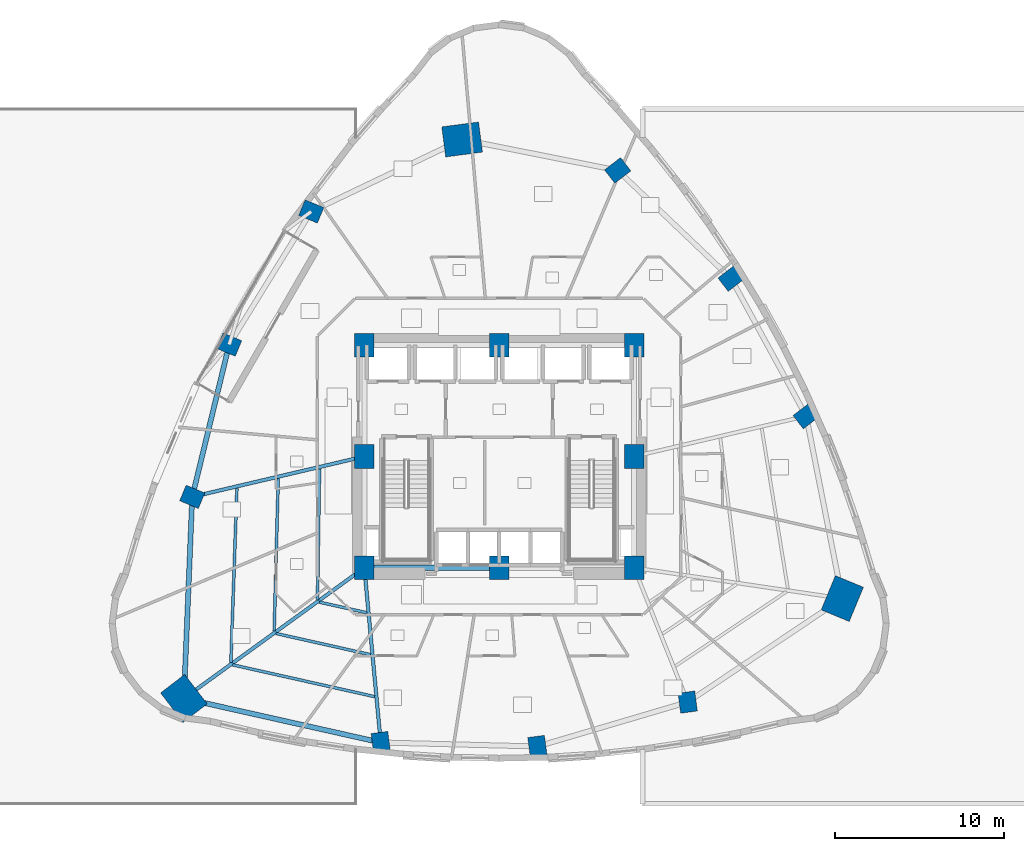
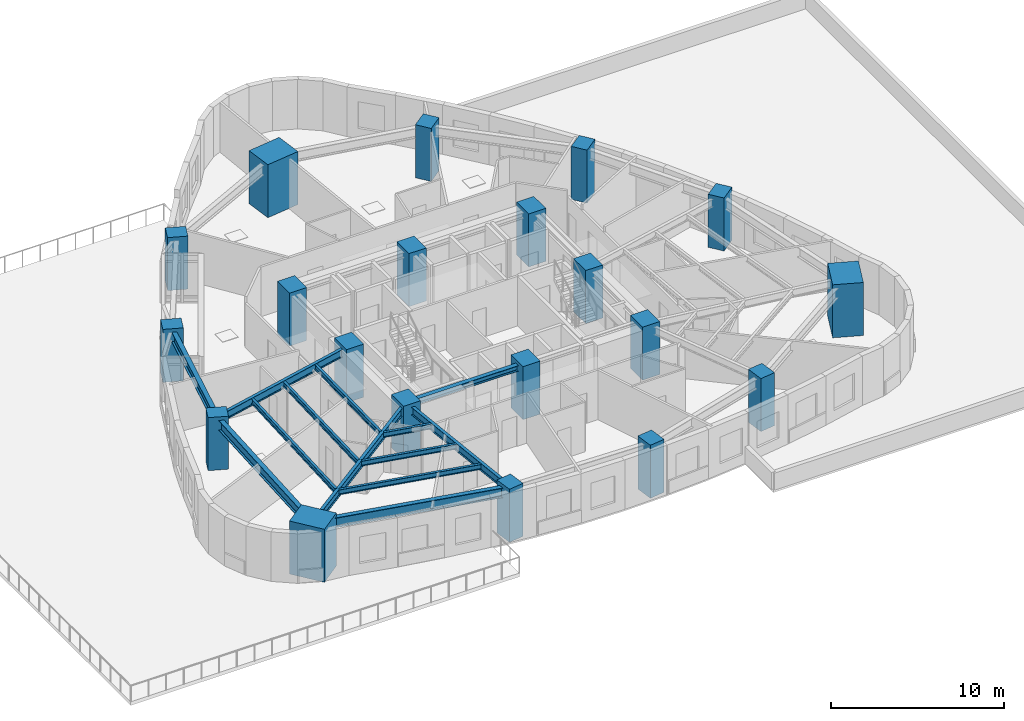
# One storey, part 1 of 15: 20 columns, 13 beams.
"""IFC4 building model written with IfcOpenShell, lengths in metres."""

from ifc_helpers import new_model, si_unit, direction, frame, origin, origin_2d, place, context, subcontext, project, spatial, rectangle, i_section, extrude, material, material_profile, profile_set, type_object, element, save


model = new_model("IFC4")

# Units and contexts
model_context = context("Model", 3, precision=1e-05, world=origin(), true_north=direction((0.0, 1.0)))
body_context = subcontext(model_context, "Body", "Model", "MODEL_VIEW")
ifc_project = project(units=[si_unit("LENGTHUNIT", "METRE"), si_unit("AREAUNIT", "SQUARE_METRE"), si_unit("VOLUMEUNIT", "CUBIC_METRE"), si_unit("PLANEANGLEUNIT", "RADIAN"), si_unit("MASSUNIT", "GRAM", prefix="KILO")], contexts=[model_context])

# Site, building, storey
site_placement = place(None, origin())
site = spatial("IfcSite", under=ifc_project, at=site_placement, CompositionType="ELEMENT")
building_placement = place(site_placement, origin())
building = spatial("IfcBuilding", under=site, at=building_placement, Name="Ndelora Gate Hotel", CompositionType="ELEMENT")
storey_placement = place(building_placement, frame((0.0, 0.0, 30.5)))
storey = spatial("IfcBuildingStorey", under=building, at=storey_placement, Name="L06", CompositionType="ELEMENT", Elevation=30.5)

# Columns
ifc_material_1 = material(Name="Concrete C60/75", Category="concrete")
ifc_material_profile_1 = material_profile(ifc_material_1, rectangle(XDim=1.14990234375, YDim=1.39990234375, at=origin_2d()), Name="RC 1400x1150")
ifc_profile_set_1 = profile_set([ifc_material_profile_1], Name="Concrete C60/75")
column_type_1 = type_object("IfcColumnType", Name="COL-CC-LOW", PredefinedType="COLUMN", material=ifc_profile_set_1)
for number, where, z_axis, x_axis, name in (
    (1, (-8.0, -6.60009765625, 0.0), (0.0, 0.0, 1.0), (1.0, 0.0, 0.0), "L06 Core Column CC1"),
    (2, (0.0, -6.60009765625, 0.0), (0.0, 0.0, 1.0), (1.0, 0.0, 0.0), "L06 Core Column CC2"),
    (3, (8.0, -6.60009765625, 0.0), (0.0, 0.0, 1.0), (1.0, 0.0, 0.0), "L06 Core Column CC3"),
    (4, (8.0, 0.0, 0.0), (0.0, 0.0, 1.0), (1.0, 0.0, 0.0), "L06 Core Column CC4"),
    (5, (8.0, 6.60009765625, 0.0), (0.0, 0.0, 1.0), (1.0, 0.0, 0.0), "L06 Core Column CC5"),
    (6, (0.0, 6.60009765625, 0.0), (0.0, 0.0, 1.0), (1.0, 0.0, 0.0), "L06 Core Column CC6"),
    (7, (-8.0, 6.60009765625, 0.0), (0.0, 0.0, 1.0), (1.0, 0.0, 0.0), "L06 Core Column CC7"),
    (8, (-8.0, 0.0, 0.0), (0.0, 0.0, 1.0), (1.0, 0.0, 0.0), "L06 Core Column CC8"),
):
    element("IfcColumn", number, at=place(storey_placement, frame(where, z_axis=z_axis, x_axis=x_axis)), inside=storey, type_object=column_type_1, Name=name, PredefinedType="COLUMN", context=body_context, shape_type="SweptSolid", body=[
        extrude(rectangle(XDim=1.14990234375, YDim=1.39990234375, at=origin_2d()), origin(), (0.0, 0.0, 1.0), 3.75),
    ])
ifc_material_profile_2 = material_profile(ifc_material_1, rectangle(XDim=1.800048828125, YDim=2.199951171875, at=origin_2d()), Name="RC 2200x1800")
ifc_profile_set_2 = profile_set([ifc_material_profile_2], Name="Concrete C60/75")
column_type_2 = type_object("IfcColumnType", Name="COL-MC-Z1", PredefinedType="COLUMN", material=ifc_profile_set_2)
for number, where, z_axis, x_axis, name in (
    (9, (-2.199951171875, 18.800048828125, 0.0), (0.0, 0.0, 1.0), (-0.13052619222, 0.991444861374, 0.0), "L06 Corner Mega-Column R1"),
    (10, (-18.701904296875, -14.3505859375, 0.0), (0.0, 0.0, 1.0), (0.793353340291, 0.608761429009, 0.0), "L06 Corner Mega-Column R5"),
    (11, (20.35009765625, -8.42919921875, 0.0), (0.0, 0.0, 1.0), (-0.923879532511, 0.382683432365, 0.0), "L06 Corner Mega-Column R9"),
):
    element("IfcColumn", number, at=place(storey_placement, frame(where, z_axis=z_axis, x_axis=x_axis)), inside=storey, type_object=column_type_2, Name=name, PredefinedType="COLUMN", context=body_context, shape_type="SweptSolid", body=[
        extrude(rectangle(XDim=1.800048828125, YDim=2.199951171875, at=origin_2d()), origin(), (0.0, 0.0, 1.0), 3.75),
    ])
ifc_material_profile_3 = material_profile(ifc_material_1, rectangle(XDim=1.0, YDim=1.199951171875, at=origin_2d()), Name="RC 1200x1000")
ifc_profile_set_3 = profile_set([ifc_material_profile_3], Name="Concrete C60/75")
column_type_3 = type_object("IfcColumnType", Name="COL-PT-Z1", PredefinedType="COLUMN", material=ifc_profile_set_3)
for number, where, z_axis, x_axis, name in (
    (12, (-11.1484375, 14.529052734375, 0.0), (0.0, 0.0, 1.0), (0.382683432365, 0.923879532511, 0.0), "L06 Perimeter Tube Column R2"),
    (13, (-16.016845703125, 6.634521484375, 0.0), (0.0, 0.0, 1.0), (0.382683432365, 0.923879532511, 0.0), "L06 Perimeter Tube Column R3"),
    (14, (-18.207275390625, -2.39697265625, 0.0), (0.0, 0.0, 1.0), (0.382683432365, 0.923879532511, 0.0), "L06 Perimeter Tube Column R4"),
    (15, (-7.027587890625, -16.96630859375, 0.0), (0.0, 0.0, 1.0), (0.991444861374, 0.13052619222, 0.0), "L06 Perimeter Tube Column R6"),
    (16, (2.2646484375, -17.20166015625, 0.0), (0.0, 0.0, 1.0), (0.991444861374, 0.13052619222, 0.0), "L06 Perimeter Tube Column R7"),
    (17, (11.179443359375, -14.5693359375, 0.0), (0.0, 0.0, 1.0), (0.991444861374, 0.13052619222, 0.0), "L06 Perimeter Tube Column R8"),
    (18, (18.207275390625, 2.39697265625, 0.0), (0.0, 0.0, 1.0), (-0.608761429009, 0.793353340291, 0.0), "L06 Perimeter Tube Column R10"),
    (19, (13.75390625, 10.5537109375, 0.0), (0.0, 0.0, 1.0), (-0.608761429009, 0.793353340291, 0.0), "L06 Perimeter Tube Column R11"),
    (20, (7.027587890625, 16.96630859375, 0.0), (0.0, 0.0, 1.0), (-0.608761429009, 0.793353340291, 0.0), "L06 Perimeter Tube Column R12"),
):
    element("IfcColumn", number, at=place(storey_placement, frame(where, z_axis=z_axis, x_axis=x_axis)), inside=storey, type_object=column_type_3, Name=name, PredefinedType="COLUMN", context=body_context, shape_type="SweptSolid", body=[
        extrude(rectangle(XDim=1.0, YDim=1.199951171875, at=origin_2d()), origin(), (0.0, 0.0, 1.0), 3.75),
    ])

# Beams
ifc_material_2 = material(Name="Steel S355", Category="steel")
ifc_material_profile_4 = material_profile(ifc_material_2, i_section(OverallWidth=0.300048828125, OverallDepth=0.39990234375, WebThickness=0.013427734375, FlangeThickness=0.02392578125, FilletRadius=0.027099609375, at=origin_2d()), Name="HEB 400")
ifc_profile_set_4 = profile_set([ifc_material_profile_4], Name="Steel S355")
beam_type_1 = type_object("IfcBeamType", Name="BM-CORE-400", PredefinedType="BEAM", material=ifc_profile_set_4)
beam_1_placement = place(storey_placement, frame((-8.0, -6.60009765625, 3.300048828125), z_axis=(1.0, 0.0, 0.0), x_axis=(0.0, 1.0, 0.0)))
element("IfcBeam", 21, at=beam_1_placement, inside=storey, type_object=beam_type_1, Name="L06 Core Tie Girder CC1-CC2", PredefinedType="BEAM", context=body_context, shape_type="SweptSolid", body=[
    extrude(i_section(OverallWidth=0.300048828125, OverallDepth=0.39990234375, WebThickness=0.013427734375, FlangeThickness=0.02392578125, FilletRadius=0.027099609375, at=origin_2d()), origin(), (0.0, 0.0, 1.0), 8.0),
])
ifc_material_profile_5 = material_profile(ifc_material_2, i_section(OverallWidth=0.169921875, OverallDepth=0.360107421875, WebThickness=0.008056640625, FlangeThickness=0.0126953125, FilletRadius=0.01806640625, at=origin_2d()), Name="IPE 360")
ifc_profile_set_5 = profile_set([ifc_material_profile_5], Name="Steel S355")
beam_type_2 = type_object("IfcBeamType", Name="BM-JST-360", PredefinedType="JOIST", material=ifc_profile_set_5)
beam_2_placement = place(storey_placement, frame((-10.65576171875, -0.73828125, 3.320068359375), z_axis=(-0.016071150123, -0.999870850727, 0.0), x_axis=(0.999870850727, -0.016071150123, 0.0)))
element("IfcBeam", 22, at=beam_2_placement, inside=storey, type_object=beam_type_2, Name="L06 Secondary Composite Floor Joist IN-4", PredefinedType="JOIST", context=body_context, shape_type="SweptSolid", body=[
    extrude(i_section(OverallWidth=0.169921875, OverallDepth=0.360107421875, WebThickness=0.008056640625, FlangeThickness=0.0126953125, FilletRadius=0.01806640625, at=origin_2d()), origin(), (0.0, 0.0, 1.0), 7.7626953125),
])
beam_3_placement = place(storey_placement, frame((-13.106689453125, -1.3134765625, 3.320068359375), z_axis=(-0.02665287705, -0.999644748971, 0.0), x_axis=(0.999644748971, -0.02665287705, 0.0)))
element("IfcBeam", 23, at=beam_3_placement, inside=storey, type_object=beam_type_2, Name="L06 Secondary Composite Floor Joist MID-4", PredefinedType="JOIST", context=body_context, shape_type="SweptSolid", body=[
    extrude(i_section(OverallWidth=0.169921875, OverallDepth=0.360107421875, WebThickness=0.008056640625, FlangeThickness=0.0126953125, FilletRadius=0.01806640625, at=origin_2d()), origin(), (0.0, 0.0, 1.0), 9.050048828125),
])
beam_4_placement = place(storey_placement, frame((-15.557373046875, -1.888671875, 3.320068359375), z_axis=(-0.034620883261, -0.999400517532, 0.0), x_axis=(0.999400517532, -0.034620883261, 0.0)))
element("IfcBeam", 24, at=beam_4_placement, inside=storey, type_object=beam_type_2, Name="L06 Secondary Composite Floor Joist OUT-4", PredefinedType="JOIST", context=body_context, shape_type="SweptSolid", body=[
    extrude(i_section(OverallWidth=0.169921875, OverallDepth=0.360107421875, WebThickness=0.008056640625, FlangeThickness=0.0126953125, FilletRadius=0.01806640625, at=origin_2d()), origin(), (0.0, 0.0, 1.0), 10.337890625),
])
beam_5_placement = place(storey_placement, frame((-10.67041015625, -8.640380859375, 3.320068359375), z_axis=(0.975820751938, -0.218572322325, 0.0), x_axis=(0.218572322325, 0.975820751938, 0.0)))
element("IfcBeam", 25, at=beam_5_placement, inside=storey, type_object=beam_type_2, Name="L06 Secondary Composite Floor Joist IN-5", PredefinedType="JOIST", context=body_context, shape_type="SweptSolid", body=[
    extrude(i_section(OverallWidth=0.169921875, OverallDepth=0.360107421875, WebThickness=0.008056640625, FlangeThickness=0.0126953125, FilletRadius=0.01806640625, at=origin_2d()), origin(), (0.0, 0.0, 1.0), 2.880615234375),
])
beam_6_placement = place(storey_placement, frame((-13.23876953125, -10.50048828125, 3.320068359375), z_axis=(0.975805037012, -0.218642470123, 0.0), x_axis=(0.218642470123, 0.975805037012, 0.0)))
element("IfcBeam", 26, at=beam_6_placement, inside=storey, type_object=beam_type_2, Name="L06 Secondary Composite Floor Joist MID-5", PredefinedType="JOIST", context=body_context, shape_type="SweptSolid", body=[
    extrude(i_section(OverallWidth=0.169921875, OverallDepth=0.360107421875, WebThickness=0.008056640625, FlangeThickness=0.0126953125, FilletRadius=0.01806640625, at=origin_2d()), origin(), (0.0, 0.0, 1.0), 5.751708984375),
])
beam_7_placement = place(storey_placement, frame((-15.80712890625, -12.360595703125, 3.320068359375), z_axis=(0.975802493229, -0.218653822759, 0.0), x_axis=(0.218653822759, 0.975802493229, 0.0)))
element("IfcBeam", 27, at=beam_7_placement, inside=storey, type_object=beam_type_2, Name="L06 Secondary Composite Floor Joist OUT-5", PredefinedType="JOIST", context=body_context, shape_type="SweptSolid", body=[
    extrude(i_section(OverallWidth=0.169921875, OverallDepth=0.360107421875, WebThickness=0.008056640625, FlangeThickness=0.0126953125, FilletRadius=0.01806640625, at=origin_2d()), origin(), (0.0, 0.0, 1.0), 8.623291015625),
])
ifc_material_profile_6 = material_profile(ifc_material_2, i_section(OverallWidth=0.2099609375, OverallDepth=0.550048828125, WebThickness=0.010986328125, FlangeThickness=0.01708984375, FilletRadius=0.02392578125, at=origin_2d()), Name="IPE 550")
ifc_profile_set_6 = profile_set([ifc_material_profile_6], Name="Steel S355")
beam_type_3 = type_object("IfcBeamType", Name="BM-RAD-550", PredefinedType="BEAM", material=ifc_profile_set_6)
beam_8_placement = place(storey_placement, frame((-8.0, 0.0, 3.22509765625), z_axis=(-0.973517848051, -0.22861102232, 0.0), x_axis=(0.22861102232, -0.973517848051, 0.0)))
element("IfcBeam", 28, at=beam_8_placement, inside=storey, type_object=beam_type_3, Name="L06 Radial Floor Girder 4", PredefinedType="BEAM", context=body_context, shape_type="SweptSolid", body=[
    extrude(i_section(OverallWidth=0.2099609375, OverallDepth=0.550048828125, WebThickness=0.010986328125, FlangeThickness=0.01708984375, FilletRadius=0.02392578125, at=origin_2d()), origin(), (0.0, 0.0, 1.0), 10.48486328125),
])
beam_9_placement = place(storey_placement, frame((-8.0, -6.60009765625, 3.22509765625), z_axis=(-0.809912157619, -0.586551188679, 0.0), x_axis=(0.586551188679, -0.809912157619, 0.0)))
element("IfcBeam", 29, at=beam_9_placement, inside=storey, type_object=beam_type_3, Name="L06 Radial Floor Girder 5", PredefinedType="BEAM", context=body_context, shape_type="SweptSolid", body=[
    extrude(i_section(OverallWidth=0.2099609375, OverallDepth=0.550048828125, WebThickness=0.010986328125, FlangeThickness=0.01708984375, FilletRadius=0.02392578125, at=origin_2d()), origin(), (0.0, 0.0, 1.0), 13.213623046875),
])
beam_10_placement = place(storey_placement, frame((-8.0, -6.60009765625, 3.22509765625), z_axis=(0.093395913855, -0.995629049031, 0.0), x_axis=(0.995629049031, 0.093395913855, 0.0)))
element("IfcBeam", 30, at=beam_10_placement, inside=storey, type_object=beam_type_3, Name="L06 Radial Floor Girder 6", PredefinedType="BEAM", context=body_context, shape_type="SweptSolid", body=[
    extrude(i_section(OverallWidth=0.2099609375, OverallDepth=0.550048828125, WebThickness=0.010986328125, FlangeThickness=0.01708984375, FilletRadius=0.02392578125, at=origin_2d()), origin(), (0.0, 0.0, 1.0), 10.41162109375),
])
ifc_material_profile_7 = material_profile(ifc_material_2, i_section(OverallWidth=0.300048828125, OverallDepth=0.699951171875, WebThickness=0.01708984375, FlangeThickness=0.031982421875, FilletRadius=0.027099609375, at=origin_2d()), Name="HEB 700")
ifc_profile_set_7 = profile_set([ifc_material_profile_7], Name="Steel S355")
beam_type_4 = type_object("IfcBeamType", Name="BM-RING-700", PredefinedType="SPANDREL", material=ifc_profile_set_7)
beam_11_placement = place(storey_placement, frame((-16.016845703125, 6.634521484375, 3.14990234375), z_axis=(-0.235699273714, -0.971826040179, 0.0), x_axis=(0.971826040179, -0.235699273714, 0.0)))
element("IfcBeam", 31, at=beam_11_placement, inside=storey, type_object=beam_type_4, Name="L06 Perimeter Spandrel Girder 3", PredefinedType="SPANDREL", context=body_context, shape_type="SweptSolid", body=[
    extrude(i_section(OverallWidth=0.300048828125, OverallDepth=0.699951171875, WebThickness=0.01708984375, FlangeThickness=0.031982421875, FilletRadius=0.027099609375, at=origin_2d()), origin(), (0.0, 0.0, 1.0), 9.293212890625),
])
for number, where, z_axis, x_axis, name in (
    (32, (-18.207275390625, -2.39697265625, 3.14990234375), (-0.041343648978, -0.99914498582, 0.0), (0.99914498582, -0.041343648978, 0.0), "L06 Perimeter Spandrel Girder 4"),
    (33, (-18.701904296875, -14.3505859375, 3.14990234375), (0.97580624377, -0.218637084273, 0.0), (0.218637084273, 0.97580624377, 0.0), "L06 Perimeter Spandrel Girder 5"),
):
    element("IfcBeam", number, at=place(storey_placement, frame(where, z_axis=z_axis, x_axis=x_axis)), inside=storey, type_object=beam_type_4, Name=name, PredefinedType="SPANDREL", context=body_context, shape_type="SweptSolid", body=[
        extrude(i_section(OverallWidth=0.300048828125, OverallDepth=0.699951171875, WebThickness=0.01708984375, FlangeThickness=0.031982421875, FilletRadius=0.027099609375, at=origin_2d()), origin(), (0.0, 0.0, 1.0), 11.9638671875),
    ])

save(model, "model.ifc")
